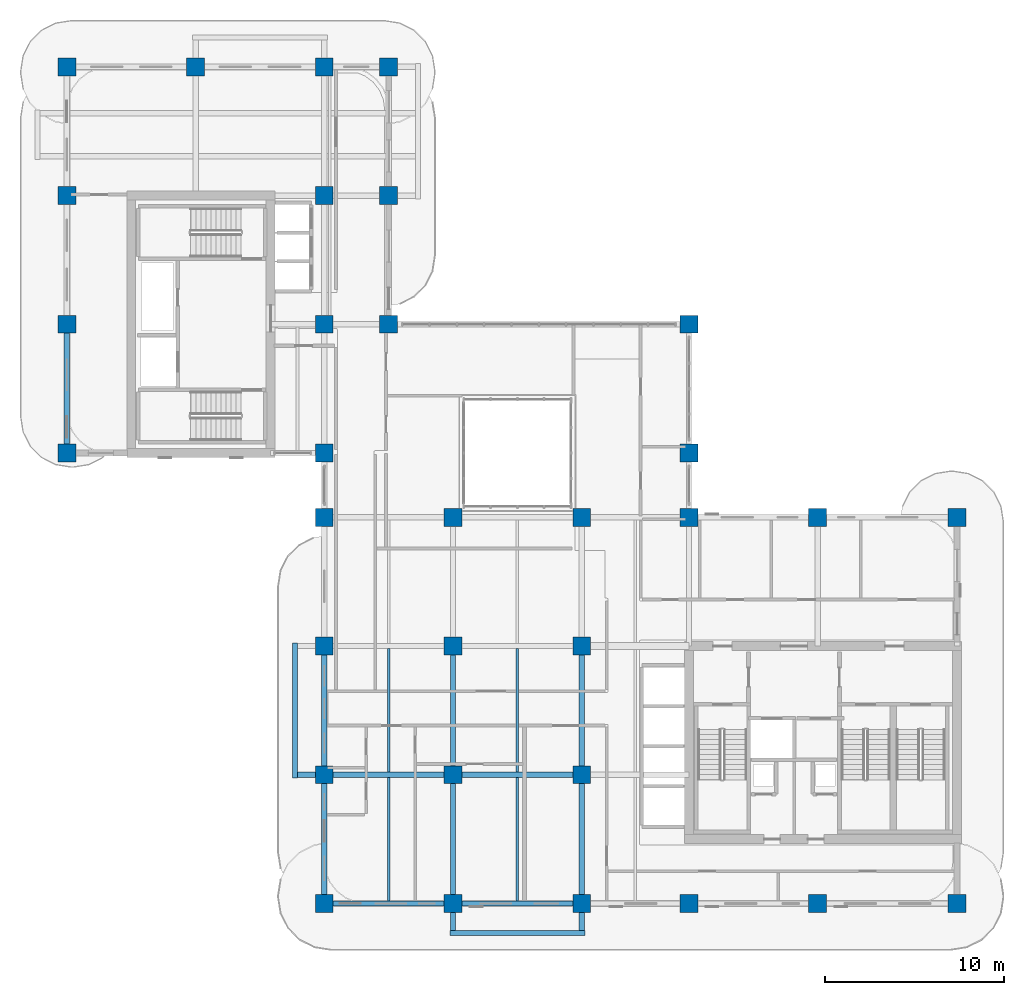
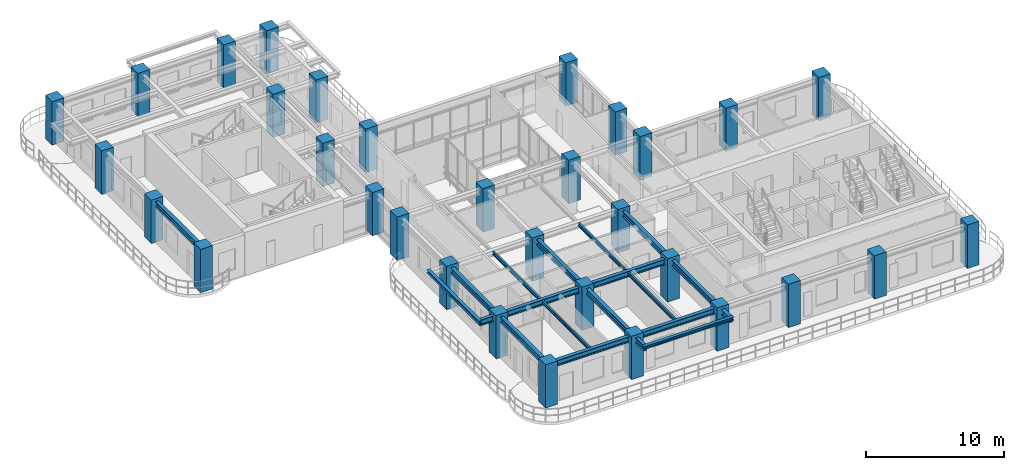
# One storey, part 1 of 20: 32 columns, 17 beams.
"""IFC4 building model written with IfcOpenShell, lengths in metres."""

from ifc_helpers import new_model, si_unit, derived_unit, direction, frame, origin, origin_2d, place, context, subcontext, project, spatial, rectangle, i_section, extrude, source, transform, mapped, material, material_profile, profile_set, type_object, type_shapes, element, save


model = new_model("IFC4")

# Units and contexts
model_context = context("Model", 3, precision=1e-05, world=origin(), true_north=direction((0.0, 1.0)))
body_context = subcontext(model_context, "Body", "Model", "MODEL_VIEW")
ifc_project = project(units=[si_unit("LENGTHUNIT", "METRE"), si_unit("AREAUNIT", "SQUARE_METRE"), si_unit("VOLUMEUNIT", "CUBIC_METRE"), si_unit("PLANEANGLEUNIT", "RADIAN"), si_unit("MASSUNIT", "GRAM", prefix="KILO"), si_unit("THERMODYNAMICTEMPERATUREUNIT", "KELVIN"), si_unit("POWERUNIT", "WATT"), derived_unit("THERMALTRANSMITTANCEUNIT", [(si_unit("POWERUNIT", "WATT"), 1), (si_unit("AREAUNIT", "SQUARE_METRE"), -1), (si_unit("THERMODYNAMICTEMPERATUREUNIT", "KELVIN"), -1)])], contexts=[model_context])

# Site, building, storey
site_placement = place(None, origin())
site = spatial("IfcSite", under=ifc_project, at=site_placement, CompositionType="ELEMENT")
building_placement = place(site_placement, origin())
building = spatial("IfcBuilding", under=site, at=building_placement, Name="Zahravan Archway Hotel and Residences", CompositionType="ELEMENT")
storey_placement = place(building_placement, frame((0.0, 0.0, 154.14990234375)))
storey = spatial("IfcBuildingStorey", under=building, at=storey_placement, Name="L38", CompositionType="ELEMENT", Elevation=154.14990234375)

# Columns
ifc_material_1 = material(Name="Concrete C60/75", Category="concrete")
ifc_material_profile_1 = material_profile(ifc_material_1, rectangle(XDim=1.0, YDim=1.0, at=origin_2d()), Name="RC-COL-1000x1000", Category="concrete")
ifc_profile_set_1 = profile_set([ifc_material_profile_1], Name="Concrete C60/75")
column_type = type_object("IfcColumnType", Name="COL-RC-1000", PredefinedType="COLUMN", material=ifc_profile_set_1)
shared_shape_1 = source(origin(), body_context, "Body", "SweptSolid", [
    extrude(rectangle(XDim=1.0, YDim=1.0, at=origin_2d()), origin(), (0.0, 0.0, 1.0), 3.85009765625),
])
for number, where, z_axis, x_axis, name in (
    (1, (0.0, 25.199951171875, 0.0), (0.0, 0.0, 1.0), (1.0, 0.0, 0.0), "L38 Column 1-E"),
    (2, (0.0, 32.39990234375, 0.0), (0.0, 0.0, 1.0), (1.0, 0.0, 0.0), "L38 Column 1-F"),
    (3, (0.0, 39.60009765625, 0.0), (0.0, 0.0, 1.0), (1.0, 0.0, 0.0), "L38 Column 1-G"),
    (4, (0.0, 46.800048828125, 0.0), (0.0, 0.0, 1.0), (1.0, 0.0, 0.0), "L38 Column 1-H"),
    (5, (7.199951171875, 46.800048828125, 0.0), (0.0, 0.0, 1.0), (1.0, 0.0, 0.0), "L38 Column 2-H"),
    (6, (14.39990234375, 0.0, 0.0), (0.0, 0.0, 1.0), (1.0, 0.0, 0.0), "L38 Column 3-A"),
    (7, (14.39990234375, 7.199951171875, 0.0), (0.0, 0.0, 1.0), (1.0, 0.0, 0.0), "L38 Column 3-B"),
    (8, (14.39990234375, 14.39990234375, 0.0), (0.0, 0.0, 1.0), (1.0, 0.0, 0.0), "L38 Column 3-C"),
    (9, (14.39990234375, 21.60009765625, 0.0), (0.0, 0.0, 1.0), (1.0, 0.0, 0.0), "L38 Column 3-D"),
    (10, (14.39990234375, 25.199951171875, 0.0), (0.0, 0.0, 1.0), (1.0, 0.0, 0.0), "L38 Column 3-E"),
    (11, (14.39990234375, 32.39990234375, 0.0), (0.0, 0.0, 1.0), (1.0, 0.0, 0.0), "L38 Column 3-F"),
    (12, (14.39990234375, 39.60009765625, 0.0), (0.0, 0.0, 1.0), (1.0, 0.0, 0.0), "L38 Column 3-G"),
    (13, (14.39990234375, 46.800048828125, 0.0), (0.0, 0.0, 1.0), (1.0, 0.0, 0.0), "L38 Column 3-H"),
    (14, (21.60009765625, 0.0, 0.0), (0.0, 0.0, 1.0), (1.0, 0.0, 0.0), "L38 Column 4-A"),
    (15, (21.60009765625, 7.199951171875, 0.0), (0.0, 0.0, 1.0), (1.0, 0.0, 0.0), "L38 Column 4-B"),
    (16, (21.60009765625, 14.39990234375, 0.0), (0.0, 0.0, 1.0), (1.0, 0.0, 0.0), "L38 Column 4-C"),
    (17, (21.60009765625, 21.60009765625, 0.0), (0.0, 0.0, 1.0), (1.0, 0.0, 0.0), "L38 Column 4-D"),
    (18, (28.800048828125, 0.0, 0.0), (0.0, 0.0, 1.0), (1.0, 0.0, 0.0), "L38 Column 5-A"),
    (19, (28.800048828125, 7.199951171875, 0.0), (0.0, 0.0, 1.0), (1.0, 0.0, 0.0), "L38 Column 5-B"),
    (20, (28.800048828125, 14.39990234375, 0.0), (0.0, 0.0, 1.0), (1.0, 0.0, 0.0), "L38 Column 5-C"),
    (21, (28.800048828125, 21.60009765625, 0.0), (0.0, 0.0, 1.0), (1.0, 0.0, 0.0), "L38 Column 5-D"),
    (22, (34.800048828125, 0.0, 0.0), (0.0, 0.0, 1.0), (1.0, 0.0, 0.0), "L38 Column 6-A"),
    (23, (34.800048828125, 21.60009765625, 0.0), (0.0, 0.0, 1.0), (1.0, 0.0, 0.0), "L38 Column 6-D"),
    (24, (34.800048828125, 25.199951171875, 0.0), (0.0, 0.0, 1.0), (1.0, 0.0, 0.0), "L38 Column 6-E"),
    (25, (34.800048828125, 32.39990234375, 0.0), (0.0, 0.0, 1.0), (1.0, 0.0, 0.0), "L38 Column 6-F"),
    (26, (42.0, 0.0, 0.0), (0.0, 0.0, 1.0), (1.0, 0.0, 0.0), "L38 Column 7-A"),
    (27, (42.0, 21.60009765625, 0.0), (0.0, 0.0, 1.0), (1.0, 0.0, 0.0), "L38 Column 7-D"),
    (28, (49.800048828125, 0.0, 0.0), (0.0, 0.0, 1.0), (1.0, 0.0, 0.0), "L38 Column 8-A"),
    (29, (49.800048828125, 21.60009765625, 0.0), (0.0, 0.0, 1.0), (1.0, 0.0, 0.0), "L38 Column 8-D"),
    (30, (18.0, 32.39990234375, 0.0), (0.0, 0.0, 1.0), (1.0, 0.0, 0.0), "L38 Column 3B-F"),
    (31, (18.0, 39.60009765625, 0.0), (0.0, 0.0, 1.0), (1.0, 0.0, 0.0), "L38 Column 3B-G"),
    (32, (18.0, 46.800048828125, 0.0), (0.0, 0.0, 1.0), (1.0, 0.0, 0.0), "L38 Column 3B-H"),
):
    element("IfcColumn", number, at=place(storey_placement, frame(where, z_axis=z_axis, x_axis=x_axis)), inside=storey, type_object=column_type, Name=name, PredefinedType="COLUMN", context=body_context, shape_type="MappedRepresentation", body=[
        mapped(shared_shape_1, transform((0.0, 0.0, 0.0), scale=1.0)),
    ])

# Beams
ifc_material_2 = material(Name="Structural Steel S355JR", Category="steel")
ifc_material_profile_2 = material_profile(ifc_material_2, i_section(OverallWidth=0.280029296875, OverallDepth=0.280029296875, WebThickness=0.010498046875, FlangeThickness=0.01806640625, FilletRadius=0.02392578125, at=origin_2d()), Name="HEB 280", Category="steel")
ifc_profile_set_2 = profile_set([ifc_material_profile_2], Name="Structural Steel S355JR")
beam_type_1 = type_object("IfcBeamType", Name="BM-SPN-HEB280", PredefinedType="SPANDREL", material=ifc_profile_set_2)
shared_shape_2 = source(origin(), body_context, "Body", "SweptSolid", [
    extrude(i_section(OverallWidth=0.280029296875, OverallDepth=0.280029296875, WebThickness=0.010498046875, FlangeThickness=0.01806640625, FilletRadius=0.02392578125, at=origin_2d()), origin(), (0.0, 0.0, 1.0), 7.56005859375),
])
type_shapes(beam_type_1, [shared_shape_2])
for number, where, z_axis, x_axis, name in (
    (33, (12.75, 7.02001953125, 3.460205078125), (0.0, 1.0, 0.0), (-1.0, 0.0, 0.0), "L39 WA Balcony Edge Spandrel"),
    (34, (21.419921875, -1.64990234375, 3.460205078125), (1.0, 0.0, 0.0), (0.0, 1.0, 0.0), "L39 SA Balcony Edge Spandrel"),
):
    element("IfcBeam", number, at=place(storey_placement, frame(where, z_axis=z_axis, x_axis=x_axis)), inside=storey, type_object=beam_type_1, Name=name, PredefinedType="SPANDREL", context=body_context, shape_type="MappedRepresentation", body=[
        mapped(shared_shape_2, transform((0.0, 0.0, 0.0), scale=1.0)),
    ])
ifc_material_profile_3 = material_profile(ifc_material_2, i_section(OverallWidth=0.300048828125, OverallDepth=0.5, WebThickness=0.014404296875, FlangeThickness=0.028076171875, FilletRadius=0.027099609375, at=origin_2d()), Name="HEB 500", Category="steel")
ifc_profile_set_3 = profile_set([ifc_material_profile_3], Name="Structural Steel S355JR")
beam_type_2 = type_object("IfcBeamType", Name="BM-PRI-HEB500", PredefinedType="BEAM", material=ifc_profile_set_3)
shared_shape_3 = source(origin(), body_context, "Body", "SweptSolid", [
    extrude(i_section(OverallWidth=0.300048828125, OverallDepth=0.5, WebThickness=0.014404296875, FlangeThickness=0.028076171875, FilletRadius=0.027099609375, at=origin_2d()), origin(), (0.0, 0.0, 1.0), 7.2001953125),
])
type_shapes(beam_type_2, [shared_shape_3])
beam_1_placement = place(storey_placement, frame((14.39990234375, 0.0, 3.35009765625), z_axis=(1.0, 0.0, 0.0), x_axis=(0.0, 1.0, 0.0)))
element("IfcBeam", 35, at=beam_1_placement, inside=storey, type_object=beam_type_2, Name="L38 Primary Girder EW-01", PredefinedType="BEAM", context=body_context, shape_type="MappedRepresentation", body=[
    mapped(shared_shape_3, transform((0.0, 0.0, 0.0), scale=1.0)),
])
shared_shape_4 = source(origin(), body_context, "Body", "SweptSolid", [
    extrude(i_section(OverallWidth=0.300048828125, OverallDepth=0.5, WebThickness=0.014404296875, FlangeThickness=0.028076171875, FilletRadius=0.027099609375, at=origin_2d()), origin(), (0.0, 0.0, 1.0), 7.199951171875),
])
for number, where, z_axis, x_axis, name in (
    (36, (21.60009765625, 0.0, 3.35009765625), (1.0, 0.0, 0.0), (0.0, 1.0, 0.0), "L38 Primary Girder EW-02"),
    (37, (21.60009765625, 7.199951171875, 3.35009765625), (1.0, 0.0, 0.0), (0.0, 1.0, 0.0), "L38 Primary Girder EW-07"),
    (38, (0.0, 25.199951171875, 3.35009765625), (0.0, 1.0, 0.0), (-1.0, 0.0, 0.0), "L38 Primary Girder NS-24"),
    (39, (14.39990234375, 0.0, 3.35009765625), (0.0, 1.0, 0.0), (-1.0, 0.0, 0.0), "L38 Primary Girder NS-28"),
    (40, (14.39990234375, 7.199951171875, 3.35009765625), (0.0, 1.0, 0.0), (-1.0, 0.0, 0.0), "L38 Primary Girder NS-29"),
    (41, (21.60009765625, 7.199951171875, 3.35009765625), (0.0, 1.0, 0.0), (-1.0, 0.0, 0.0), "L38 Primary Girder NS-36"),
    (42, (28.800048828125, 7.199951171875, 3.35009765625), (0.0, 1.0, 0.0), (-1.0, 0.0, 0.0), "L38 Primary Girder NS-39"),
):
    element("IfcBeam", number, at=place(storey_placement, frame(where, z_axis=z_axis, x_axis=x_axis)), inside=storey, type_object=beam_type_2, Name=name, PredefinedType="BEAM", context=body_context, shape_type="MappedRepresentation", body=[
        mapped(shared_shape_4, transform((0.0, 0.0, 0.0), scale=1.0)),
    ])
shared_shape_5 = source(origin(), body_context, "Body", "SweptSolid", [
    extrude(i_section(OverallWidth=0.300048828125, OverallDepth=0.5, WebThickness=0.014404296875, FlangeThickness=0.028076171875, FilletRadius=0.027099609375, at=origin_2d()), origin(), (0.0, 0.0, 1.0), 8.85009765625),
])
beam_2_placement = place(storey_placement, frame((12.75, 7.199951171875, 3.35009765625), z_axis=(1.0, 0.0, 0.0), x_axis=(0.0, 1.0, 0.0)))
element("IfcBeam", 43, at=beam_2_placement, inside=storey, type_object=beam_type_2, Name="L38 Primary Girder EW-06", PredefinedType="BEAM", context=body_context, shape_type="MappedRepresentation", body=[
    mapped(shared_shape_5, transform((0.0, 0.0, 0.0), scale=1.0)),
])
shared_shape_6 = source(origin(), body_context, "Body", "SweptSolid", [
    extrude(i_section(OverallWidth=0.300048828125, OverallDepth=0.5, WebThickness=0.014404296875, FlangeThickness=0.028076171875, FilletRadius=0.027099609375, at=origin_2d()), origin(), (0.0, 0.0, 1.0), 8.849853515625),
])
for number, where, z_axis, x_axis, name in (
    (44, (21.60009765625, -1.64990234375, 3.35009765625), (0.0, 1.0, 0.0), (-1.0, 0.0, 0.0), "L38 Primary Girder NS-35"),
    (45, (28.800048828125, -1.64990234375, 3.35009765625), (0.0, 1.0, 0.0), (-1.0, 0.0, 0.0), "L38 Primary Girder NS-38"),
):
    element("IfcBeam", number, at=place(storey_placement, frame(where, z_axis=z_axis, x_axis=x_axis)), inside=storey, type_object=beam_type_2, Name=name, PredefinedType="BEAM", context=body_context, shape_type="MappedRepresentation", body=[
        mapped(shared_shape_6, transform((0.0, 0.0, 0.0), scale=1.0)),
    ])
ifc_material_profile_4 = material_profile(ifc_material_2, i_section(OverallWidth=0.14990234375, OverallDepth=0.300048828125, WebThickness=0.007080078125, FlangeThickness=0.0107421875, FilletRadius=0.014892578125, at=origin_2d()), Name="IPE 300", Category="steel")
ifc_profile_set_4 = profile_set([ifc_material_profile_4], Name="Structural Steel S355JR")
beam_type_3 = type_object("IfcBeamType", Name="BM-JST-IPE300", PredefinedType="JOIST", material=ifc_profile_set_4)
shared_shape_7 = source(origin(), body_context, "Body", "SweptSolid", [
    extrude(i_section(OverallWidth=0.14990234375, OverallDepth=0.300048828125, WebThickness=0.007080078125, FlangeThickness=0.0107421875, FilletRadius=0.014892578125, at=origin_2d()), origin(), (0.0, 0.0, 1.0), 6.904052734375),
])
type_shapes(beam_type_3, [shared_shape_7])
for number, where, z_axis, x_axis, name in (
    (46, (18.0, 0.14794921875, 3.4501953125), (0.0, 1.0, 0.0), (-1.0, 0.0, 0.0), "L38 Composite Floor Joist 01"),
    (47, (25.199951171875, 0.14794921875, 3.4501953125), (0.0, 1.0, 0.0), (-1.0, 0.0, 0.0), "L38 Composite Floor Joist 02"),
    (48, (18.0, 7.347900390625, 3.4501953125), (0.0, 1.0, 0.0), (-1.0, 0.0, 0.0), "L38 Composite Floor Joist 04"),
    (49, (25.199951171875, 7.347900390625, 3.4501953125), (0.0, 1.0, 0.0), (-1.0, 0.0, 0.0), "L38 Composite Floor Joist 05"),
):
    element("IfcBeam", number, at=place(storey_placement, frame(where, z_axis=z_axis, x_axis=x_axis)), inside=storey, type_object=beam_type_3, Name=name, PredefinedType="JOIST", context=body_context, shape_type="MappedRepresentation", body=[
        mapped(shared_shape_7, transform((0.0, 0.0, 0.0), scale=1.0)),
    ])

save(model, "model.ifc")
